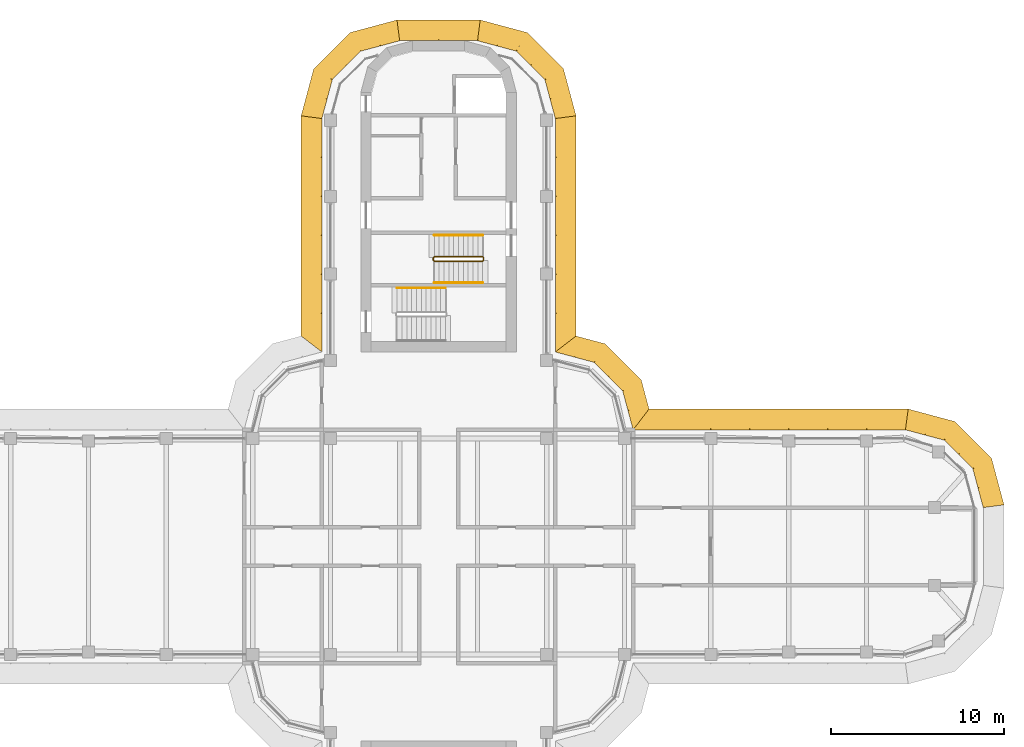
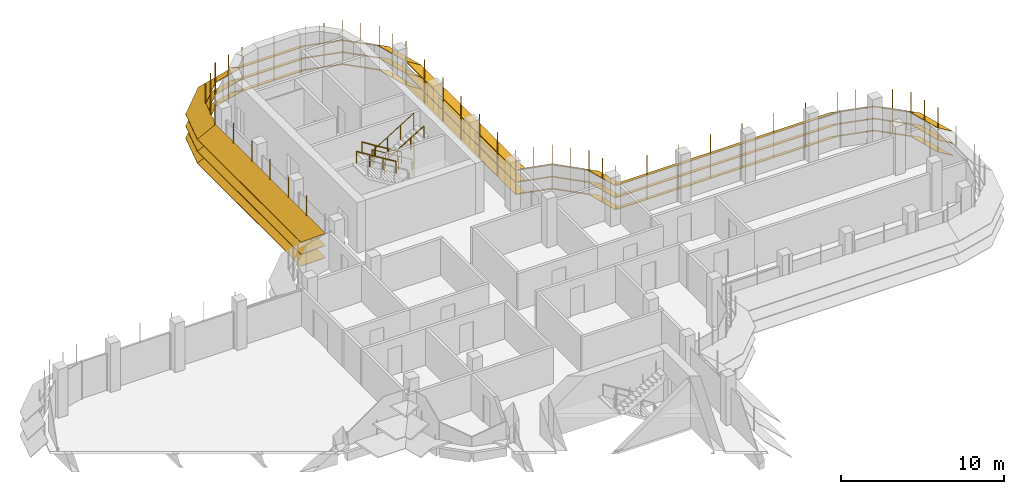
# One storey, part 18 of 19: 8 shading devices, 4 railings.
"""IFC4 building model written with IfcOpenShell, lengths in metres."""

from ifc_helpers import new_model, si_unit, direction, frame, origin, origin_2d, place, context, subcontext, project, spatial, polyline, circle, outline, extrude, faceted_brep, source, transform, mapped, material, type_object, element, save


model = new_model("IFC4")

# Units and contexts
model_context = context("Model", 3, precision=1e-05, world=origin(), true_north=direction((0.0, 1.0)))
body_context = subcontext(model_context, "Body", "Model", "MODEL_VIEW")
ifc_project = project(units=[si_unit("LENGTHUNIT", "METRE"), si_unit("AREAUNIT", "SQUARE_METRE"), si_unit("VOLUMEUNIT", "CUBIC_METRE"), si_unit("PLANEANGLEUNIT", "RADIAN"), si_unit("MASSUNIT", "GRAM", prefix="KILO")], contexts=[model_context])

# Site, building, storey
site_placement = place(None, origin())
site = spatial("IfcSite", under=ifc_project, at=site_placement, CompositionType="ELEMENT")
building_placement = place(site_placement, origin())
building = spatial("IfcBuilding", under=site, at=building_placement, Name="Zarbagh Exchange Tower", CompositionType="ELEMENT")
storey_placement = place(building_placement, frame((0.0, 0.0, 233.39990234375)))
storey = spatial("IfcBuildingStorey", under=building, at=storey_placement, Name="L57", CompositionType="ELEMENT", Elevation=233.39990234375)

# Railings
ifc_material_1 = material(Name="Stainless steel", Category="steel")
railing_type_1 = type_object("IfcRailingType", Name="Stair guard 1100 mm", PredefinedType="GUARDRAIL", material=ifc_material_1)
railing_1_placement = place(storey_placement, frame((2.550048828125, 16.75, 0.1728515625)))
element("IfcRailing", 1, at=railing_1_placement, inside=storey, type_object=railing_type_1, Name="ST1 stair guard 1", PredefinedType="GUARDRAIL", context=body_context, shape_type="SweptSolid", body=[
    extrude(circle(Radius=0.02392578125, at=origin_2d()), frame((0.0, 0.0, 1.076171875), z_axis=(-0.851089632645, 0.0, 0.525020415988), x_axis=(0.0, -1.0, 0.0)), (0.0, 0.0, 1.0), 3.2900390625),
    extrude(circle(Radius=0.02392578125, at=origin_2d()), frame((-2.800048828125, 0.0, 2.80322265625), z_axis=(-0.707106781187, -0.707106781187, 0.0), x_axis=(0.707106781187, -0.707106781187, 0.0)), (0.0, 0.0, 1.0), 0.07080078125),
    extrude(circle(Radius=0.02392578125, at=origin_2d()), frame((-2.85009765625, -0.050048828125, 2.80322265625), z_axis=(0.0, -1.0, 0.0), x_axis=(1.0, 0.0, 0.0)), (0.0, 0.0, 1.0), 0.14990234375),
    extrude(circle(Radius=0.02392578125, at=origin_2d()), frame((-2.85009765625, -0.199951171875, 2.80322265625), z_axis=(0.268277960024, -0.268277960024, 0.925231793839), x_axis=(0.707106781187, 0.707106781187, 0.0)), (0.0, 0.0, 1.0), 0.1865234375),
    extrude(circle(Radius=0.02392578125, at=origin_2d()), frame((-2.800048828125, -0.25, 2.97607421875), z_axis=(0.851089632645, 0.0, 0.525020415988), x_axis=(0.0, 1.0, 0.0)), (0.0, 0.0, 1.0), 3.2900390625),
    extrude(circle(Radius=0.02392578125, at=origin_2d()), frame((0.0, -0.25, 4.703125), z_axis=(0.013168290981, 0.013168290981, -0.999826581076), x_axis=(-0.707106781187, 0.707106781187, 0.0)), (0.0, 0.0, 1.0), 3.80078125),
    extrude(circle(Radius=0.02392578125, at=origin_2d()), frame((0.050048828125, -0.199951171875, 0.9033203125), z_axis=(0.0, 1.0, 0.0), x_axis=(-1.0, 0.0, 0.0)), (0.0, 0.0, 1.0), 0.14990234375),
    extrude(circle(Radius=0.02099609375, at=origin_2d()), origin(), (0.0, 0.0, 1.0), 1.052001953125),
    extrude(circle(Radius=0.02099609375, at=origin_2d()), frame((-0.933349609375, 0.0, 0.57568359375)), (0.0, 0.0, 1.0), 1.052001953125),
    extrude(circle(Radius=0.02099609375, at=origin_2d()), frame((-1.86669921875, 0.0, 1.151611328125)), (0.0, 0.0, 1.0), 1.052001953125),
    extrude(circle(Radius=0.02099609375, at=origin_2d()), frame((-2.800048828125, 0.0, 1.727294921875)), (0.0, 0.0, 1.0), 1.052001953125),
    extrude(circle(Radius=0.02099609375, at=origin_2d()), frame((-2.85009765625, -0.050048828125, 1.727294921875)), (0.0, 0.0, 1.0), 1.052001953125),
    extrude(circle(Radius=0.02099609375, at=origin_2d()), frame((-2.85009765625, -0.199951171875, 1.727294921875)), (0.0, 0.0, 1.0), 1.052001953125),
    extrude(circle(Radius=0.02099609375, at=origin_2d()), frame((-2.800048828125, -0.25, 1.89990234375)), (0.0, 0.0, 1.0), 1.052001953125),
    extrude(circle(Radius=0.02099609375, at=origin_2d()), frame((-1.86669921875, -0.25, 2.4755859375)), (0.0, 0.0, 1.0), 1.052001953125),
    extrude(circle(Radius=0.02099609375, at=origin_2d()), frame((-0.933349609375, -0.25, 3.051513671875)), (0.0, 0.0, 1.0), 1.052001953125),
    extrude(circle(Radius=0.02099609375, at=origin_2d()), frame((0.0, -0.25, 3.627197265625)), (0.0, 0.0, 1.0), 1.052001953125),
    extrude(circle(Radius=0.02099609375, at=origin_2d()), frame((0.012451171875, -0.237548828125, 2.67724609375)), (0.0, 0.0, 1.0), 1.052001953125),
    extrude(circle(Radius=0.02099609375, at=origin_2d()), frame((0.02490234375, -0.22509765625, 1.72705078125)), (0.0, 0.0, 1.0), 1.052001953125),
    extrude(circle(Radius=0.02099609375, at=origin_2d()), frame((0.03759765625, -0.21240234375, 0.777099609375)), (0.0, 0.0, 1.0), 1.052001953125),
    extrude(circle(Radius=0.02099609375, at=origin_2d()), frame((0.050048828125, -0.199951171875, -0.1728515625)), (0.0, 0.0, 1.0), 1.052001953125),
    extrude(circle(Radius=0.02099609375, at=origin_2d()), frame((0.050048828125, -0.050048828125, -0.1728515625)), (0.0, 0.0, 1.0), 1.052001953125),
])
railing_type_2 = type_object("IfcRailingType", Name="Stair handrail 900 mm", PredefinedType="HANDRAIL", material=ifc_material_1)
railing_2_placement = place(storey_placement, frame((2.550048828125, 18.0, 0.1728515625)))
element("IfcRailing", 2, at=railing_2_placement, inside=storey, type_object=railing_type_2, Name="ST1 stair handrail 1", PredefinedType="HANDRAIL", context=body_context, shape_type="SweptSolid", body=[
    extrude(circle(Radius=0.02392578125, at=origin_2d()), frame((0.0, 0.0, 0.8759765625), z_axis=(-0.851089632645, 0.0, 0.525020415988), x_axis=(0.0, -1.0, 0.0)), (0.0, 0.0, 1.0), 3.2900390625),
    extrude(circle(Radius=0.02099609375, at=origin_2d()), origin(), (0.0, 0.0, 1.0), 0.851806640625),
    extrude(circle(Radius=0.02099609375, at=origin_2d()), frame((-0.933349609375, 0.0, 0.57568359375)), (0.0, 0.0, 1.0), 0.851806640625),
    extrude(circle(Radius=0.02099609375, at=origin_2d()), frame((-1.86669921875, 0.0, 1.151611328125)), (0.0, 0.0, 1.0), 0.851806640625),
    extrude(circle(Radius=0.02099609375, at=origin_2d()), frame((-2.800048828125, 0.0, 1.727294921875)), (0.0, 0.0, 1.0), 0.851806640625),
])
railing_3_placement = place(storey_placement, frame((-0.25, 15.25, 2.07275390625)))
element("IfcRailing", 3, at=railing_3_placement, inside=storey, type_object=railing_type_2, Name="ST1 stair handrail 2", PredefinedType="HANDRAIL", context=body_context, shape_type="SweptSolid", body=[
    extrude(circle(Radius=0.02392578125, at=origin_2d()), frame((0.0, 0.0, 0.8759765625), z_axis=(0.851089632645, 0.0, 0.525020415988), x_axis=(0.0, 1.0, 0.0)), (0.0, 0.0, 1.0), 3.2900390625),
    extrude(circle(Radius=0.02099609375, at=origin_2d()), origin(), (0.0, 0.0, 1.0), 0.851806640625),
    extrude(circle(Radius=0.02099609375, at=origin_2d()), frame((0.933349609375, 0.0, 0.57568359375)), (0.0, 0.0, 1.0), 0.851806640625),
    extrude(circle(Radius=0.02099609375, at=origin_2d()), frame((1.86669921875, 0.0, 1.151611328125)), (0.0, 0.0, 1.0), 0.851806640625),
    extrude(circle(Radius=0.02099609375, at=origin_2d()), frame((2.800048828125, 0.0, 1.727294921875)), (0.0, 0.0, 1.0), 0.851806640625),
])
railing_4_placement = place(storey_placement, frame((0.39990234375, 14.949951171875, 2.07275390625)))
element("IfcRailing", 4, at=railing_4_placement, inside=storey, type_object=railing_type_2, Name="ST2 stair handrail 2", PredefinedType="HANDRAIL", context=body_context, shape_type="SweptSolid", body=[
    extrude(circle(Radius=0.02392578125, at=origin_2d()), frame((0.0, 0.0, 0.8759765625), z_axis=(-0.851069175582, 0.0, 0.525053576669), x_axis=(0.0, -1.0, 0.0)), (0.0, 0.0, 1.0), 3.289794921875),
    extrude(circle(Radius=0.02099609375, at=origin_2d()), origin(), (0.0, 0.0, 1.0), 0.851806640625),
    extrude(circle(Radius=0.02099609375, at=origin_2d()), frame((-0.933349609375, 0.0, 0.57568359375)), (0.0, 0.0, 1.0), 0.851806640625),
    extrude(circle(Radius=0.02099609375, at=origin_2d()), frame((-1.866455078125, 0.0, 1.151611328125)), (0.0, 0.0, 1.0), 0.851806640625),
    extrude(circle(Radius=0.02099609375, at=origin_2d()), frame((-2.7998046875, 0.0, 1.727294921875)), (0.0, 0.0, 1.0), 0.851806640625),
])

# Shading devices
ifc_material_2 = material(Name="Anodised aluminium blades and brackets", Category="aluminium")
shading_device_type = type_object("IfcShadingDeviceType", Name="SUNSHADE louvre band, 33.75 degree blades", PredefinedType="JALOUSIE", material=ifc_material_2)
shared_shape_1 = source(origin(), body_context, "Body", "Brep", [
    faceted_brep([(0.0, 0.0, 0.0), (0.0, 0.0, -0.048095703125), (-0.157958984375, -1.199951171875, -0.849853515625), (-0.157958984375, -1.199951171875, -0.8017578125), (2.65087890625, -1.199951171875, -0.8017578125), (2.65087890625, -1.199951171875, -0.849853515625), (2.329345703125, 0.0, -0.048095703125), (2.329345703125, 0.0, 0.0)], [[[0, 1, 2, 3]], [[4, 5, 6, 7]], [[0, 7, 6, 1]], [[1, 6, 5, 2]], [[2, 5, 4, 3]], [[3, 4, 7, 0]]]),
])
shared_shape_2 = source(origin(), body_context, "Body", "Brep", [
    faceted_brep([(0.0, 0.0, 0.0), (0.0, 0.0, -0.048095703125), (-0.321533203125, -1.199951171875, -0.849853515625), (-0.321533203125, -1.199951171875, -0.8017578125), (2.65087890625, -1.199951171875, -0.8017578125), (2.65087890625, -1.199951171875, -0.849853515625), (2.329345703125, 0.0, -0.048095703125), (2.329345703125, 0.0, 0.0)], [[[0, 1, 2, 3]], [[4, 5, 6, 7]], [[0, 7, 6, 1]], [[1, 6, 5, 2]], [[2, 5, 4, 3]], [[3, 4, 7, 0]]]),
])
shared_shape_3 = source(origin(), body_context, "Body", "Brep", [
    faceted_brep([(0.0, 0.0, 0.0), (0.0, 0.0, -0.048095703125), (-0.321533203125, -1.199951171875, -0.849853515625), (-0.321533203125, -1.199951171875, -0.8017578125), (2.4873046875, -1.199951171875, -0.8017578125), (2.4873046875, -1.199951171875, -0.849853515625), (2.329345703125, 0.0, -0.048095703125), (2.329345703125, 0.0, 0.0)], [[[0, 1, 2, 3]], [[4, 5, 6, 7]], [[0, 7, 6, 1]], [[1, 6, 5, 2]], [[2, 5, 4, 3]], [[3, 4, 7, 0]]]),
])
shared_shape_4 = source(origin(), body_context, "Body", "SweptSolid", [
    extrude(outline(polyline([(0.0, -0.012451171875), (0.06005859375, -0.012451171875), (0.06005859375, 0.012451171875), (0.0, 0.012451171875), (0.0, -0.012451171875)])), origin(), (0.0, 0.0, 1.0), 3.358154296875),
])
placement = place(storey_placement, origin())
element("IfcShadingDevice", 5, at=placement, inside=storey, type_object=shading_device_type, Name="SS33 sunshade band", PredefinedType="JALOUSIE", context=body_context, shape_type="MappedRepresentation", body=[
    mapped(shared_shape_1, transform((31.5, 2.25, 2.300048828125), x_axis=(-0.258824779902, 0.965924289636, 0.0), y_axis=(-0.965924289636, -0.258824779902, 0.0), z_axis=(0.0, 0.0, 1.0))),
    mapped(shared_shape_1, transform((31.5, 2.25, 1.400146484375), x_axis=(-0.258824779902, 0.965924289636, 0.0), y_axis=(-0.965924289636, -0.258824779902, 0.0), z_axis=(0.0, 0.0, 1.0))),
    mapped(shared_shape_1, transform((31.5, 2.25, 0.5), x_axis=(-0.258824779902, 0.965924289636, 0.0), y_axis=(-0.965924289636, -0.258824779902, 0.0), z_axis=(0.0, 0.0, 1.0))),
    mapped(shared_shape_2, transform((30.897216796875, 4.5, 2.300048828125), x_axis=(-0.707106781187, 0.707106781187, 0.0), y_axis=(-0.707106781187, -0.707106781187, 0.0), z_axis=(0.0, 0.0, 1.0))),
    mapped(shared_shape_2, transform((30.897216796875, 4.5, 1.400146484375), x_axis=(-0.707106781187, 0.707106781187, 0.0), y_axis=(-0.707106781187, -0.707106781187, 0.0), z_axis=(0.0, 0.0, 1.0))),
    mapped(shared_shape_2, transform((30.897216796875, 4.5, 0.5), x_axis=(-0.707106781187, 0.707106781187, 0.0), y_axis=(-0.707106781187, -0.707106781187, 0.0), z_axis=(0.0, 0.0, 1.0))),
    mapped(shared_shape_3, transform((29.25, 6.147216796875, 2.300048828125), x_axis=(-0.965924289636, 0.258824779902, 0.0), y_axis=(-0.258824779902, -0.965924289636, 0.0), z_axis=(0.0, 0.0, 1.0))),
    mapped(shared_shape_3, transform((29.25, 6.147216796875, 1.400146484375), x_axis=(-0.965924289636, 0.258824779902, 0.0), y_axis=(-0.258824779902, -0.965924289636, 0.0), z_axis=(0.0, 0.0, 1.0))),
    mapped(shared_shape_3, transform((29.25, 6.147216796875, 0.5), x_axis=(-0.965924289636, 0.258824779902, 0.0), y_axis=(-0.258824779902, -0.965924289636, 0.0), z_axis=(0.0, 0.0, 1.0))),
    mapped(shared_shape_4, transform((31.5, 2.25, 0.421875), x_axis=(0.991444457092, 0.130529263012, 0.0), y_axis=(-0.130529263012, 0.991444457092, 0.0), z_axis=(0.0, 0.0, 1.0))),
    mapped(shared_shape_4, transform((31.198486328125, 3.375, 0.421875), x_axis=(0.96592421511, 0.258825058029, 0.0), y_axis=(-0.258825058029, 0.96592421511, 0.0), z_axis=(0.0, 0.0, 1.0))),
    mapped(shared_shape_4, transform((30.897216796875, 4.5, 0.421875), x_axis=(0.866023812018, 0.50000275701, 0.0), y_axis=(-0.50000275701, 0.866023812018, 0.0), z_axis=(0.0, 0.0, 1.0))),
    mapped(shared_shape_4, transform((30.073486328125, 5.323486328125, 0.421875), x_axis=(0.707106781187, 0.707106781187, 0.0), y_axis=(-0.707106781187, 0.707106781187, 0.0), z_axis=(0.0, 0.0, 1.0))),
    mapped(shared_shape_4, transform((29.25, 6.147216796875, 0.421875), x_axis=(0.50000275701, 0.866023812018, 0.0), y_axis=(-0.866023812018, 0.50000275701, 0.0), z_axis=(0.0, 0.0, 1.0))),
    mapped(shared_shape_4, transform((28.125, 6.448486328125, 0.421875), x_axis=(0.258825058029, 0.96592421511, 0.0), y_axis=(-0.96592421511, 0.258825058029, 0.0), z_axis=(0.0, 0.0, 1.0))),
])
element("IfcShadingDevice", 6, at=placement, inside=storey, type_object=shading_device_type, Name="SS46 sunshade band", PredefinedType="JALOUSIE", context=body_context, shape_type="MappedRepresentation", body=[
    mapped(shared_shape_1, transform((6.75, 24.75, 2.300048828125), x_axis=(-0.258824779902, 0.965924289636, 0.0), y_axis=(-0.965924289636, -0.258824779902, 0.0), z_axis=(0.0, 0.0, 1.0))),
    mapped(shared_shape_1, transform((6.75, 24.75, 1.400146484375), x_axis=(-0.258824779902, 0.965924289636, 0.0), y_axis=(-0.965924289636, -0.258824779902, 0.0), z_axis=(0.0, 0.0, 1.0))),
    mapped(shared_shape_1, transform((6.75, 24.75, 0.5), x_axis=(-0.258824779902, 0.965924289636, 0.0), y_axis=(-0.965924289636, -0.258824779902, 0.0), z_axis=(0.0, 0.0, 1.0))),
    mapped(shared_shape_2, transform((6.147216796875, 27.0, 2.300048828125), x_axis=(-0.707106781187, 0.707106781187, 0.0), y_axis=(-0.707106781187, -0.707106781187, 0.0), z_axis=(0.0, 0.0, 1.0))),
    mapped(shared_shape_2, transform((6.147216796875, 27.0, 1.400146484375), x_axis=(-0.707106781187, 0.707106781187, 0.0), y_axis=(-0.707106781187, -0.707106781187, 0.0), z_axis=(0.0, 0.0, 1.0))),
    mapped(shared_shape_2, transform((6.147216796875, 27.0, 0.5), x_axis=(-0.707106781187, 0.707106781187, 0.0), y_axis=(-0.707106781187, -0.707106781187, 0.0), z_axis=(0.0, 0.0, 1.0))),
    mapped(shared_shape_3, transform((4.5, 28.647216796875, 2.300048828125), x_axis=(-0.965924289636, 0.258824779902, 0.0), y_axis=(-0.258824779902, -0.965924289636, 0.0), z_axis=(0.0, 0.0, 1.0))),
    mapped(shared_shape_3, transform((4.5, 28.647216796875, 1.400146484375), x_axis=(-0.965924289636, 0.258824779902, 0.0), y_axis=(-0.258824779902, -0.965924289636, 0.0), z_axis=(0.0, 0.0, 1.0))),
    mapped(shared_shape_3, transform((4.5, 28.647216796875, 0.5), x_axis=(-0.965924289636, 0.258824779902, 0.0), y_axis=(-0.258824779902, -0.965924289636, 0.0), z_axis=(0.0, 0.0, 1.0))),
    mapped(shared_shape_4, transform((6.75, 24.75, 0.421875), x_axis=(0.991444457092, 0.130529263012, 0.0), y_axis=(-0.130529263012, 0.991444457092, 0.0), z_axis=(0.0, 0.0, 1.0))),
    mapped(shared_shape_4, transform((6.448486328125, 25.875, 0.421875), x_axis=(0.96592421511, 0.258825058029, 0.0), y_axis=(-0.258825058029, 0.96592421511, 0.0), z_axis=(0.0, 0.0, 1.0))),
    mapped(shared_shape_4, transform((6.147216796875, 27.0, 0.421875), x_axis=(0.866023812018, 0.50000275701, 0.0), y_axis=(-0.50000275701, 0.866023812018, 0.0), z_axis=(0.0, 0.0, 1.0))),
    mapped(shared_shape_4, transform((5.323486328125, 27.823486328125, 0.421875), x_axis=(0.707106781187, 0.707106781187, 0.0), y_axis=(-0.707106781187, 0.707106781187, 0.0), z_axis=(0.0, 0.0, 1.0))),
    mapped(shared_shape_4, transform((4.5, 28.647216796875, 0.421875), x_axis=(0.50000275701, 0.866023812018, 0.0), y_axis=(-0.866023812018, 0.50000275701, 0.0), z_axis=(0.0, 0.0, 1.0))),
    mapped(shared_shape_4, transform((3.375, 28.948486328125, 0.421875), x_axis=(0.258825058029, 0.96592421511, 0.0), y_axis=(-0.96592421511, 0.258825058029, 0.0), z_axis=(0.0, 0.0, 1.0))),
])
element("IfcShadingDevice", 7, at=placement, inside=storey, type_object=shading_device_type, Name="SS48 sunshade band", PredefinedType="JALOUSIE", context=body_context, shape_type="MappedRepresentation", body=[
    mapped(shared_shape_1, transform((-2.25, 29.25, 2.300048828125), x_axis=(-0.965924289636, -0.258824779902, 0.0), y_axis=(0.258824779902, -0.965924289636, 0.0), z_axis=(0.0, 0.0, 1.0))),
    mapped(shared_shape_1, transform((-2.25, 29.25, 1.400146484375), x_axis=(-0.965924289636, -0.258824779902, 0.0), y_axis=(0.258824779902, -0.965924289636, 0.0), z_axis=(0.0, 0.0, 1.0))),
    mapped(shared_shape_1, transform((-2.25, 29.25, 0.5), x_axis=(-0.965924289636, -0.258824779902, 0.0), y_axis=(0.258824779902, -0.965924289636, 0.0), z_axis=(0.0, 0.0, 1.0))),
    mapped(shared_shape_2, transform((-4.5, 28.647216796875, 2.300048828125), x_axis=(-0.707106781187, -0.707106781187, 0.0), y_axis=(0.707106781187, -0.707106781187, 0.0), z_axis=(0.0, 0.0, 1.0))),
    mapped(shared_shape_2, transform((-4.5, 28.647216796875, 1.400146484375), x_axis=(-0.707106781187, -0.707106781187, 0.0), y_axis=(0.707106781187, -0.707106781187, 0.0), z_axis=(0.0, 0.0, 1.0))),
    mapped(shared_shape_2, transform((-4.5, 28.647216796875, 0.5), x_axis=(-0.707106781187, -0.707106781187, 0.0), y_axis=(0.707106781187, -0.707106781187, 0.0), z_axis=(0.0, 0.0, 1.0))),
    mapped(shared_shape_3, transform((-6.147216796875, 27.0, 2.300048828125), x_axis=(-0.258824779902, -0.965924289636, 0.0), y_axis=(0.965924289636, -0.258824779902, 0.0), z_axis=(0.0, 0.0, 1.0))),
    mapped(shared_shape_3, transform((-6.147216796875, 27.0, 1.400146484375), x_axis=(-0.258824779902, -0.965924289636, 0.0), y_axis=(0.965924289636, -0.258824779902, 0.0), z_axis=(0.0, 0.0, 1.0))),
    mapped(shared_shape_3, transform((-6.147216796875, 27.0, 0.5), x_axis=(-0.258824779902, -0.965924289636, 0.0), y_axis=(0.965924289636, -0.258824779902, 0.0), z_axis=(0.0, 0.0, 1.0))),
    mapped(shared_shape_4, transform((-2.25, 29.25, 0.421875), x_axis=(-0.130529263012, 0.991444457092, 0.0), y_axis=(-0.991444457092, -0.130529263012, 0.0), z_axis=(0.0, 0.0, 1.0))),
    mapped(shared_shape_4, transform((-3.375, 28.948486328125, 0.421875), x_axis=(-0.258825058029, 0.96592421511, 0.0), y_axis=(-0.96592421511, -0.258825058029, 0.0), z_axis=(0.0, 0.0, 1.0))),
    mapped(shared_shape_4, transform((-4.5, 28.647216796875, 0.421875), x_axis=(-0.50000275701, 0.866023812018, 0.0), y_axis=(-0.866023812018, -0.50000275701, 0.0), z_axis=(0.0, 0.0, 1.0))),
    mapped(shared_shape_4, transform((-5.323486328125, 27.823486328125, 0.421875), x_axis=(-0.707106781187, 0.707106781187, 0.0), y_axis=(-0.707106781187, -0.707106781187, 0.0), z_axis=(0.0, 0.0, 1.0))),
    mapped(shared_shape_4, transform((-6.147216796875, 27.0, 0.421875), x_axis=(-0.866023812018, 0.50000275701, 0.0), y_axis=(-0.50000275701, -0.866023812018, 0.0), z_axis=(0.0, 0.0, 1.0))),
    mapped(shared_shape_4, transform((-6.448486328125, 25.875, 0.421875), x_axis=(-0.96592421511, 0.258825058029, 0.0), y_axis=(-0.258825058029, -0.96592421511, 0.0), z_axis=(0.0, 0.0, 1.0))),
])
shared_shape_5 = source(origin(), body_context, "Body", "Brep", [
    faceted_brep([(0.0, 0.0, 0.0), (0.0, 0.0, -0.048095703125), (0.9208984375, -1.199951171875, -0.849853515625), (0.9208984375, -1.199951171875, -0.8017578125), (2.65087890625, -1.199951171875, -0.8017578125), (2.65087890625, -1.199951171875, -0.849853515625), (2.329345703125, 0.0, -0.048095703125), (2.329345703125, 0.0, 0.0)], [[[0, 1, 2, 3]], [[4, 5, 6, 7]], [[0, 7, 6, 1]], [[1, 6, 5, 2]], [[2, 5, 4, 3]], [[3, 4, 7, 0]]]),
])
shared_shape_6 = source(origin(), body_context, "Body", "Brep", [
    faceted_brep([(0.0, 0.0, 0.0), (0.0, 0.0, -0.048095703125), (-0.321533203125, -1.199951171875, -0.849853515625), (-0.321533203125, -1.199951171875, -0.8017578125), (1.40869140625, -1.199951171875, -0.8017578125), (1.40869140625, -1.199951171875, -0.849853515625), (2.329345703125, 0.0, -0.048095703125), (2.329345703125, 0.0, 0.0)], [[[0, 1, 2, 3]], [[4, 5, 6, 7]], [[0, 7, 6, 1]], [[1, 6, 5, 2]], [[2, 5, 4, 3]], [[3, 4, 7, 0]]]),
])
element("IfcShadingDevice", 8, at=placement, inside=storey, type_object=shading_device_type, Name="SS09 sunshade band", PredefinedType="JALOUSIE", context=body_context, shape_type="MappedRepresentation", body=[
    mapped(shared_shape_5, transform((11.25, 6.75, 2.300048828125), x_axis=(-0.258824779902, 0.965924289636, 0.0), y_axis=(-0.965924289636, -0.258824779902, 0.0), z_axis=(0.0, 0.0, 1.0))),
    mapped(shared_shape_5, transform((11.25, 6.75, 1.400146484375), x_axis=(-0.258824779902, 0.965924289636, 0.0), y_axis=(-0.965924289636, -0.258824779902, 0.0), z_axis=(0.0, 0.0, 1.0))),
    mapped(shared_shape_5, transform((11.25, 6.75, 0.5), x_axis=(-0.258824779902, 0.965924289636, 0.0), y_axis=(-0.965924289636, -0.258824779902, 0.0), z_axis=(0.0, 0.0, 1.0))),
    mapped(shared_shape_2, transform((10.647216796875, 9.0, 2.300048828125), x_axis=(-0.707106781187, 0.707106781187, 0.0), y_axis=(-0.707106781187, -0.707106781187, 0.0), z_axis=(0.0, 0.0, 1.0))),
    mapped(shared_shape_2, transform((10.647216796875, 9.0, 1.400146484375), x_axis=(-0.707106781187, 0.707106781187, 0.0), y_axis=(-0.707106781187, -0.707106781187, 0.0), z_axis=(0.0, 0.0, 1.0))),
    mapped(shared_shape_2, transform((10.647216796875, 9.0, 0.5), x_axis=(-0.707106781187, 0.707106781187, 0.0), y_axis=(-0.707106781187, -0.707106781187, 0.0), z_axis=(0.0, 0.0, 1.0))),
    mapped(shared_shape_6, transform((9.0, 10.647216796875, 2.300048828125), x_axis=(-0.965924289636, 0.258824779902, 0.0), y_axis=(-0.258824779902, -0.965924289636, 0.0), z_axis=(0.0, 0.0, 1.0))),
    mapped(shared_shape_6, transform((9.0, 10.647216796875, 1.400146484375), x_axis=(-0.965924289636, 0.258824779902, 0.0), y_axis=(-0.258824779902, -0.965924289636, 0.0), z_axis=(0.0, 0.0, 1.0))),
    mapped(shared_shape_6, transform((9.0, 10.647216796875, 0.5), x_axis=(-0.965924289636, 0.258824779902, 0.0), y_axis=(-0.258824779902, -0.965924289636, 0.0), z_axis=(0.0, 0.0, 1.0))),
    mapped(shared_shape_4, transform((11.25, 6.75, 0.421875), x_axis=(0.608758892, 0.793355287, 0.0), y_axis=(-0.793355287, 0.608758892, 0.0), z_axis=(0.0, 0.0, 1.0))),
    mapped(shared_shape_4, transform((10.948486328125, 7.875, 0.421875), x_axis=(0.96592421511, 0.258825058029, 0.0), y_axis=(-0.258825058029, 0.96592421511, 0.0), z_axis=(0.0, 0.0, 1.0))),
    mapped(shared_shape_4, transform((10.647216796875, 9.0, 0.421875), x_axis=(0.866023812018, 0.50000275701, 0.0), y_axis=(-0.50000275701, 0.866023812018, 0.0), z_axis=(0.0, 0.0, 1.0))),
    mapped(shared_shape_4, transform((9.823486328125, 9.823486328125, 0.421875), x_axis=(0.707106781187, 0.707106781187, 0.0), y_axis=(-0.707106781187, 0.707106781187, 0.0), z_axis=(0.0, 0.0, 1.0))),
    mapped(shared_shape_4, transform((9.0, 10.647216796875, 0.421875), x_axis=(0.50000275701, 0.866023812018, 0.0), y_axis=(-0.866023812018, 0.50000275701, 0.0), z_axis=(0.0, 0.0, 1.0))),
    mapped(shared_shape_4, transform((7.875, 10.948486328125, 0.421875), x_axis=(0.258825058029, 0.96592421511, 0.0), y_axis=(-0.96592421511, 0.258825058029, 0.0), z_axis=(0.0, 0.0, 1.0))),
])
shared_shape_7 = source(origin(), body_context, "Body", "Brep", [
    faceted_brep([(0.0, 0.0, 0.0), (0.0, 0.0, -0.048095703125), (-0.157958984375, -1.199951171875, -0.849853515625), (-0.157958984375, -1.199951171875, -0.8017578125), (14.8291015625, -1.199951171875, -0.8017578125), (14.8291015625, -1.199951171875, -0.849853515625), (15.75, 0.0, -0.048095703125), (15.75, 0.0, 0.0)], [[[0, 1, 2, 3]], [[4, 5, 6, 7]], [[0, 7, 6, 1]], [[1, 6, 5, 2]], [[2, 5, 4, 3]], [[3, 4, 7, 0]]]),
])
element("IfcShadingDevice", 9, at=placement, inside=storey, type_object=shading_device_type, Name="SS34 sunshade band", PredefinedType="JALOUSIE", context=body_context, shape_type="MappedRepresentation", body=[
    mapped(shared_shape_7, transform((27.0, 6.75, 2.300048828125), x_axis=(-1.0, 0.0, 0.0), y_axis=(0.0, -1.0, 0.0), z_axis=(0.0, 0.0, 1.0))),
    mapped(shared_shape_7, transform((27.0, 6.75, 1.400146484375), x_axis=(-1.0, 0.0, 0.0), y_axis=(0.0, -1.0, 0.0), z_axis=(0.0, 0.0, 1.0))),
    mapped(shared_shape_7, transform((27.0, 6.75, 0.5), x_axis=(-1.0, 0.0, 0.0), y_axis=(0.0, -1.0, 0.0), z_axis=(0.0, 0.0, 1.0))),
    mapped(shared_shape_4, transform((27.0, 6.75, 0.421875), x_axis=(0.130529263012, 0.991444457092, 0.0), y_axis=(-0.991444457092, 0.130529263012, 0.0), z_axis=(0.0, 0.0, 1.0))),
    mapped(shared_shape_4, transform((24.75, 6.75, 0.421875), x_axis=(0.0, 1.0, 0.0), y_axis=(-1.0, 0.0, 0.0), z_axis=(0.0, 0.0, 1.0))),
    mapped(shared_shape_4, transform((22.5, 6.75, 0.421875), x_axis=(0.0, 1.0, 0.0), y_axis=(-1.0, 0.0, 0.0), z_axis=(0.0, 0.0, 1.0))),
    mapped(shared_shape_4, transform((20.25, 6.75, 0.421875), x_axis=(0.0, 1.0, 0.0), y_axis=(-1.0, 0.0, 0.0), z_axis=(0.0, 0.0, 1.0))),
    mapped(shared_shape_4, transform((18.0, 6.75, 0.421875), x_axis=(0.0, 1.0, 0.0), y_axis=(-1.0, 0.0, 0.0), z_axis=(0.0, 0.0, 1.0))),
    mapped(shared_shape_4, transform((15.75, 6.75, 0.421875), x_axis=(0.0, 1.0, 0.0), y_axis=(-1.0, 0.0, 0.0), z_axis=(0.0, 0.0, 1.0))),
    mapped(shared_shape_4, transform((13.5, 6.75, 0.421875), x_axis=(0.0, 1.0, 0.0), y_axis=(-1.0, 0.0, 0.0), z_axis=(0.0, 0.0, 1.0))),
])
shared_shape_8 = source(origin(), body_context, "Body", "Brep", [
    faceted_brep([(0.0, 0.0, 0.0), (0.0, 0.0, -0.048095703125), (0.9208984375, -1.199951171875, -0.849853515625), (0.9208984375, -1.199951171875, -0.8017578125), (13.657958984375, -1.199951171875, -0.8017578125), (13.657958984375, -1.199951171875, -0.849853515625), (13.5, 0.0, -0.048095703125), (13.5, 0.0, 0.0)], [[[0, 1, 2, 3]], [[4, 5, 6, 7]], [[0, 7, 6, 1]], [[1, 6, 5, 2]], [[2, 5, 4, 3]], [[3, 4, 7, 0]]]),
])
element("IfcShadingDevice", 10, at=placement, inside=storey, type_object=shading_device_type, Name="SS45 sunshade band", PredefinedType="JALOUSIE", context=body_context, shape_type="MappedRepresentation", body=[
    mapped(shared_shape_8, transform((6.75, 11.25, 2.300048828125), x_axis=(0.0, 1.0, 0.0), y_axis=(-1.0, 0.0, 0.0), z_axis=(0.0, 0.0, 1.0))),
    mapped(shared_shape_8, transform((6.75, 11.25, 1.400146484375), x_axis=(0.0, 1.0, 0.0), y_axis=(-1.0, 0.0, 0.0), z_axis=(0.0, 0.0, 1.0))),
    mapped(shared_shape_8, transform((6.75, 11.25, 0.5), x_axis=(0.0, 1.0, 0.0), y_axis=(-1.0, 0.0, 0.0), z_axis=(0.0, 0.0, 1.0))),
    mapped(shared_shape_4, transform((6.75, 11.25, 0.421875), x_axis=(0.793355287, 0.608758892, 0.0), y_axis=(-0.608758892, 0.793355287, 0.0), z_axis=(0.0, 0.0, 1.0))),
    mapped(shared_shape_4, transform((6.75, 13.5, 0.421875), x_axis=(1.0, 0.0, 0.0), y_axis=(0.0, 1.0, 0.0), z_axis=(0.0, 0.0, 1.0))),
    mapped(shared_shape_4, transform((6.75, 15.75, 0.421875), x_axis=(1.0, 0.0, 0.0), y_axis=(0.0, 1.0, 0.0), z_axis=(0.0, 0.0, 1.0))),
    mapped(shared_shape_4, transform((6.75, 18.0, 0.421875), x_axis=(1.0, 0.0, 0.0), y_axis=(0.0, 1.0, 0.0), z_axis=(0.0, 0.0, 1.0))),
    mapped(shared_shape_4, transform((6.75, 20.25, 0.421875), x_axis=(1.0, 0.0, 0.0), y_axis=(0.0, 1.0, 0.0), z_axis=(0.0, 0.0, 1.0))),
    mapped(shared_shape_4, transform((6.75, 22.5, 0.421875), x_axis=(1.0, 0.0, 0.0), y_axis=(0.0, 1.0, 0.0), z_axis=(0.0, 0.0, 1.0))),
])
shared_shape_9 = source(origin(), body_context, "Body", "Brep", [
    faceted_brep([(0.0, 0.0, 0.0), (0.0, 0.0, -0.048095703125), (-0.157958984375, -1.199951171875, -0.849853515625), (-0.157958984375, -1.199951171875, -0.8017578125), (4.657958984375, -1.199951171875, -0.8017578125), (4.657958984375, -1.199951171875, -0.849853515625), (4.5, 0.0, -0.048095703125), (4.5, 0.0, 0.0)], [[[0, 1, 2, 3]], [[4, 5, 6, 7]], [[0, 7, 6, 1]], [[1, 6, 5, 2]], [[2, 5, 4, 3]], [[3, 4, 7, 0]]]),
])
element("IfcShadingDevice", 11, at=placement, inside=storey, type_object=shading_device_type, Name="SS47 sunshade band", PredefinedType="JALOUSIE", context=body_context, shape_type="MappedRepresentation", body=[
    mapped(shared_shape_9, transform((2.25, 29.25, 2.300048828125), x_axis=(-1.0, 0.0, 0.0), y_axis=(0.0, -1.0, 0.0), z_axis=(0.0, 0.0, 1.0))),
    mapped(shared_shape_9, transform((2.25, 29.25, 1.400146484375), x_axis=(-1.0, 0.0, 0.0), y_axis=(0.0, -1.0, 0.0), z_axis=(0.0, 0.0, 1.0))),
    mapped(shared_shape_9, transform((2.25, 29.25, 0.5), x_axis=(-1.0, 0.0, 0.0), y_axis=(0.0, -1.0, 0.0), z_axis=(0.0, 0.0, 1.0))),
    mapped(shared_shape_4, transform((2.25, 29.25, 0.421875), x_axis=(0.130529263012, 0.991444457092, 0.0), y_axis=(-0.991444457092, 0.130529263012, 0.0), z_axis=(0.0, 0.0, 1.0))),
    mapped(shared_shape_4, transform((0.0, 29.25, 0.421875), x_axis=(0.0, 1.0, 0.0), y_axis=(-1.0, 0.0, 0.0), z_axis=(0.0, 0.0, 1.0))),
])
shared_shape_10 = source(origin(), body_context, "Body", "Brep", [
    faceted_brep([(0.0, 0.0, 0.0), (0.0, 0.0, -0.048095703125), (-0.157958984375, -1.199951171875, -0.849853515625), (-0.157958984375, -1.199951171875, -0.8017578125), (12.5791015625, -1.199951171875, -0.8017578125), (12.5791015625, -1.199951171875, -0.849853515625), (13.5, 0.0, -0.048095703125), (13.5, 0.0, 0.0)], [[[0, 1, 2, 3]], [[4, 5, 6, 7]], [[0, 7, 6, 1]], [[1, 6, 5, 2]], [[2, 5, 4, 3]], [[3, 4, 7, 0]]]),
])
element("IfcShadingDevice", 12, at=placement, inside=storey, type_object=shading_device_type, Name="SS49 sunshade band", PredefinedType="JALOUSIE", context=body_context, shape_type="MappedRepresentation", body=[
    mapped(shared_shape_10, transform((-6.75, 24.75, 2.300048828125), x_axis=(0.0, -1.0, 0.0), y_axis=(1.0, 0.0, 0.0), z_axis=(0.0, 0.0, 1.0))),
    mapped(shared_shape_10, transform((-6.75, 24.75, 1.400146484375), x_axis=(0.0, -1.0, 0.0), y_axis=(1.0, 0.0, 0.0), z_axis=(0.0, 0.0, 1.0))),
    mapped(shared_shape_10, transform((-6.75, 24.75, 0.5), x_axis=(0.0, -1.0, 0.0), y_axis=(1.0, 0.0, 0.0), z_axis=(0.0, 0.0, 1.0))),
    mapped(shared_shape_4, transform((-6.75, 24.75, 0.421875), x_axis=(-0.991444457092, 0.130529263012, 0.0), y_axis=(-0.130529263012, -0.991444457092, 0.0), z_axis=(0.0, 0.0, 1.0))),
    mapped(shared_shape_4, transform((-6.75, 22.5, 0.421875), x_axis=(-1.0, 0.0, 0.0), y_axis=(0.0, -1.0, 0.0), z_axis=(0.0, 0.0, 1.0))),
    mapped(shared_shape_4, transform((-6.75, 20.25, 0.421875), x_axis=(-1.0, 0.0, 0.0), y_axis=(0.0, -1.0, 0.0), z_axis=(0.0, 0.0, 1.0))),
    mapped(shared_shape_4, transform((-6.75, 18.0, 0.421875), x_axis=(-1.0, 0.0, 0.0), y_axis=(0.0, -1.0, 0.0), z_axis=(0.0, 0.0, 1.0))),
    mapped(shared_shape_4, transform((-6.75, 15.75, 0.421875), x_axis=(-1.0, 0.0, 0.0), y_axis=(0.0, -1.0, 0.0), z_axis=(0.0, 0.0, 1.0))),
    mapped(shared_shape_4, transform((-6.75, 13.5, 0.421875), x_axis=(-1.0, 0.0, 0.0), y_axis=(0.0, -1.0, 0.0), z_axis=(0.0, 0.0, 1.0))),
])

save(model, "model.ifc")
